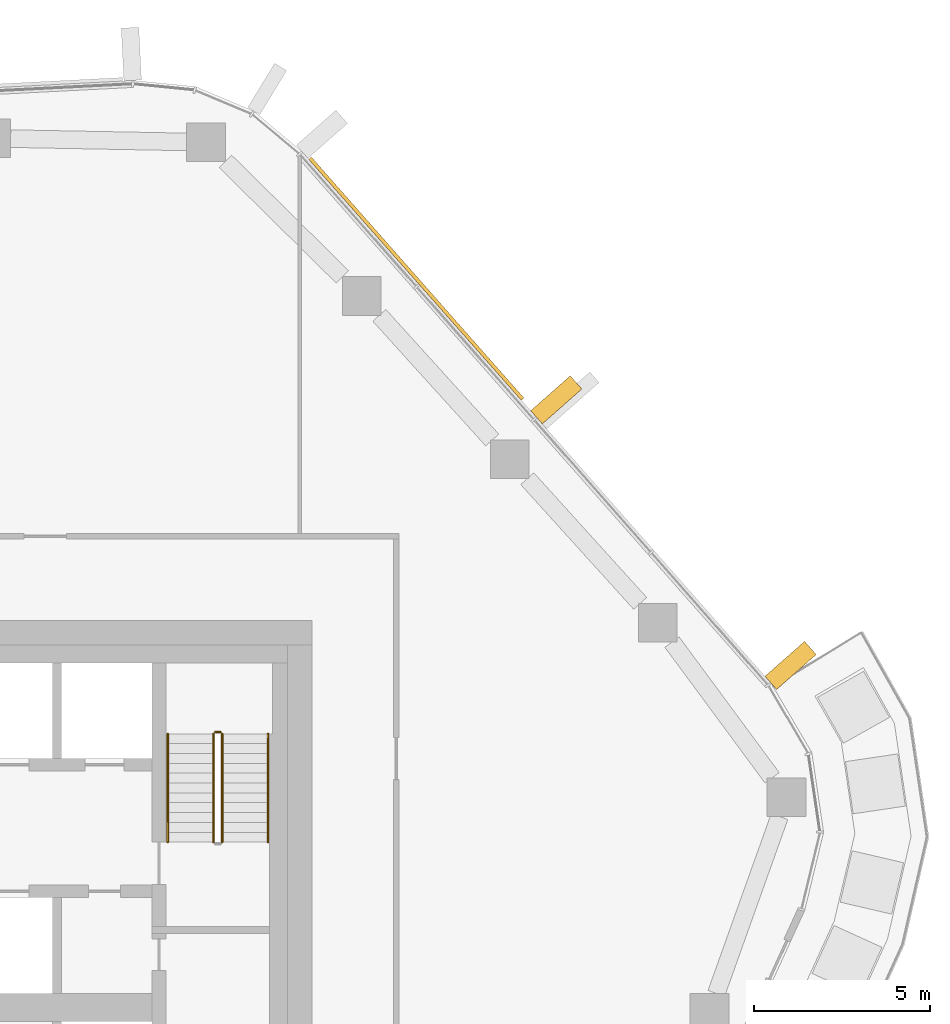
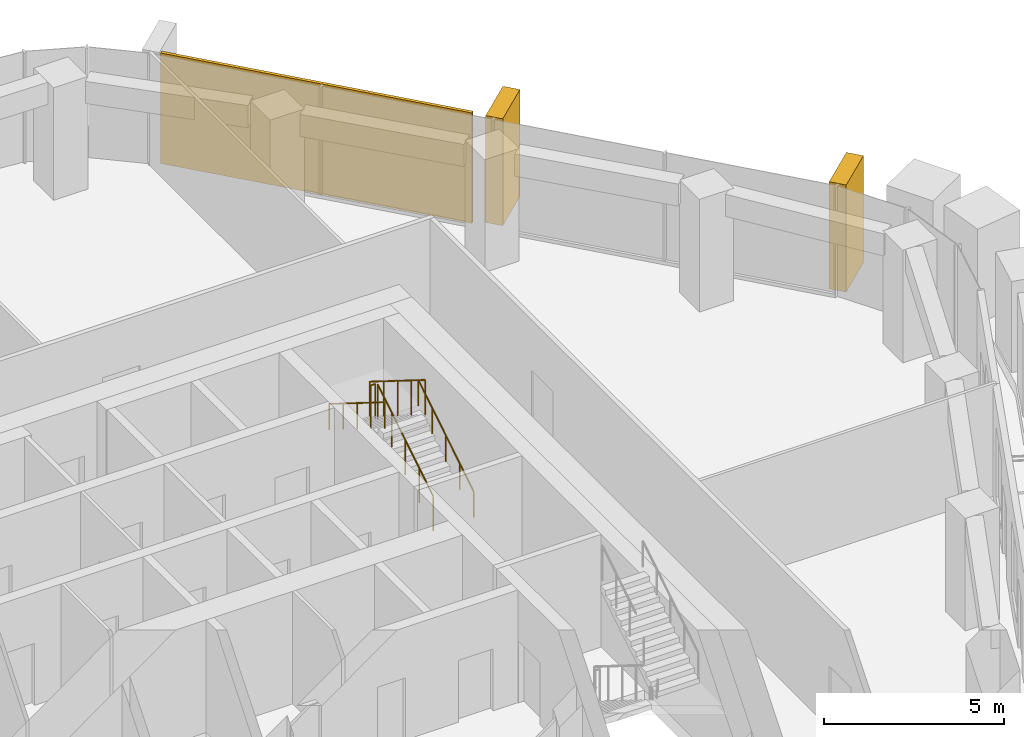
# One storey, part 21 of 22: 5 railings, 3 coverings, 1 element without a shape of its own.
"""IFC4 building model written with IfcOpenShell, lengths in metres."""

from ifc_helpers import new_model, si_unit, direction, frame, origin, origin_2d, place, context, subcontext, project, spatial, rectangle, circle, extrude, material, layer, layer_set, material_profile, profile_set, type_object, element, aggregate, save


model = new_model("IFC4")

# Units and contexts
model_context = context("Model", 3, precision=1e-05, world=origin(), true_north=direction((0.0, 1.0)))
body_context = subcontext(model_context, "Body", "Model", "MODEL_VIEW")
ifc_project = project(units=[si_unit("LENGTHUNIT", "METRE"), si_unit("AREAUNIT", "SQUARE_METRE"), si_unit("VOLUMEUNIT", "CUBIC_METRE"), si_unit("PLANEANGLEUNIT", "RADIAN"), si_unit("MASSUNIT", "GRAM", prefix="KILO")], contexts=[model_context])

# Site, building, storey
site_placement = place(None, origin())
site = spatial("IfcSite", under=ifc_project, at=site_placement, CompositionType="ELEMENT")
building_placement = place(site_placement, origin())
building = spatial("IfcBuilding", under=site, at=building_placement, Name="Dongbaek Canopy Tower", CompositionType="ELEMENT")
storey_placement = place(building_placement, frame((0.0, 0.0, 237.0)))
storey = spatial("IfcBuildingStorey", under=building, at=storey_placement, Name="L49", CompositionType="ELEMENT", Elevation=237.0)

# Curtain wall, coverings
ifc_material_1 = material(Name="Aluminium 6063-T6 pale anodised", Category="aluminium")
ifc_layer_1 = layer(ifc_material_1, 0.199951171875)
ifc_layer_set_1 = layer_set([ifc_layer_1], Name="CW-1 unitised tower curtain wall")
curtain_wall_type = type_object("IfcCurtainWallType", Name="CW-1 unitised tower curtain wall", PredefinedType="NOTDEFINED", material=ifc_layer_set_1)
curtain_wall_placement = place(storey_placement, origin())
curtain_wall = element("IfcCurtainWall", 1, at=curtain_wall_placement, inside=storey, type_object=curtain_wall_type, Name="CW-1 curtain wall F0.1", PredefinedType="NOTDEFINED")
ifc_material_2 = material(Name="Perforated aluminium 6063-T6 pale metal screen", Category="aluminium")
ifc_layer_2 = layer(ifc_material_2, 0.10009765625)
ifc_layer_set_2 = layer_set([ifc_layer_2], Name="Facet screen FS1 100 pale metal")
covering_type_1 = type_object("IfcCoveringType", Name="Facet screen FS1 100 pale metal", PredefinedType="CLADDING", material=ifc_layer_set_2)
covering_1_placement = place(storey_placement, frame((16.968505859375, 20.720703125, 0.0), z_axis=(0.0, 0.0, 1.0), x_axis=(-0.6616312479, 0.749829375126, 0.0)))
covering_1 = element("IfcCovering", 2, at=covering_1_placement, type_object=covering_type_1, Name="Facet screen L49 F0", PredefinedType="CLADDING", context=body_context, shape_type="SweptSolid", body=[
    extrude(rectangle(XDim=9.130126953125, YDim=0.10009765625, at=origin_2d()), origin(), (0.0, 0.0, 1.0), 3.75),
])
ifc_material_3 = material(Name="Aluminium 6063-T6 pale metal fin", Category="aluminium")
ifc_material_profile = material_profile(ifc_material_3, rectangle(XDim=1.5, YDim=0.5, at=origin_2d()), Name="Fin FN1 500 x 1500 pale metal")
ifc_profile_set = profile_set([ifc_material_profile], Name="Aluminium 6063-T6 pale metal fin")
covering_type_2 = type_object("IfcCoveringType", Name="Fin FN1 500 x 1500 pale metal", PredefinedType="CLADDING", material=ifc_profile_set)
covering_2_placement = place(storey_placement, frame((27.6103515625, 9.724609375, 0.1201171875), z_axis=(0.0, 0.0, 1.0), x_axis=(0.749829254199, 0.661631384947, 0.0)))
covering_2 = element("IfcCovering", 3, at=covering_2_placement, type_object=covering_type_2, Name="Fin F0.1.1", PredefinedType="CLADDING", context=body_context, shape_type="SweptSolid", body=[
    extrude(rectangle(XDim=1.5, YDim=0.5, at=origin_2d()), origin(), (0.0, 0.0, 1.0), 3.6298828125),
])
covering_3_placement = place(storey_placement, frame((20.947998046875, 17.275146484375, 0.1201171875), z_axis=(0.0, 0.0, 1.0), x_axis=(0.749829254199, 0.661631384947, 0.0)))
covering_3 = element("IfcCovering", 4, at=covering_3_placement, type_object=covering_type_2, Name="Fin F0.1.3", PredefinedType="CLADDING", context=body_context, shape_type="SweptSolid", body=[
    extrude(rectangle(XDim=1.5, YDim=0.5, at=origin_2d()), origin(), (0.0, 0.0, 1.0), 3.6298828125),
])
aggregate(curtain_wall, [covering_2, covering_3, covering_1])

# Railings
ifc_material_4 = material(Name="Stainless steel tube and balusters", Category="steel")
railing_type_1 = type_object("IfcRailingType", Name="Stair guard 1200", PredefinedType="GUARDRAIL", material=ifc_material_4)
railing_1_placement = place(storey_placement, frame((11.449951171875, 4.699951171875, 0.175048828125)))
element("IfcRailing", 5, at=railing_1_placement, inside=storey, type_object=railing_type_1, Name="L49 ST-A stair guard 1", PredefinedType="GUARDRAIL", context=body_context, shape_type="SweptSolid", body=[
    extrude(circle(Radius=0.02392578125, at=origin_2d()), frame((0.0, 0.0, 1.17578125), z_axis=(0.0, 0.847998304005, 0.529998940003), x_axis=(-1.0, 0.0, 0.0)), (0.0, 0.0, 1.0), 3.632080078125),
    extrude(circle(Radius=0.02099609375, at=origin_2d()), origin(), (0.0, 0.0, 1.0), 1.15185546875),
    extrude(circle(Radius=0.02099609375, at=origin_2d()), frame((0.0, 0.77001953125, 0.481201171875)), (0.0, 0.0, 1.0), 1.15185546875),
    extrude(circle(Radius=0.02099609375, at=origin_2d()), frame((0.0, 1.5400390625, 0.96240234375)), (0.0, 0.0, 1.0), 1.15185546875),
    extrude(circle(Radius=0.02099609375, at=origin_2d()), frame((0.0, 2.31005859375, 1.44384765625)), (0.0, 0.0, 1.0), 1.15185546875),
    extrude(circle(Radius=0.02099609375, at=origin_2d()), frame((0.0, 3.080078125, 1.925048828125)), (0.0, 0.0, 1.0), 1.15185546875),
])
railing_2_placement = place(storey_placement, frame((11.39990234375, 7.830078125, 2.10009765625)))
element("IfcRailing", 6, at=railing_2_placement, inside=storey, type_object=railing_type_1, Name="L49 ST-A stair guard 2", PredefinedType="GUARDRAIL", context=body_context, shape_type="SweptSolid", body=[
    extrude(circle(Radius=0.02392578125, at=origin_2d()), frame((0.0, 0.0, 1.17578125), z_axis=(-1.0, 0.0, 0.0), x_axis=(0.0, -1.0, 0.0)), (0.0, 0.0, 1.0), 0.14990234375),
    extrude(circle(Radius=0.02099609375, at=origin_2d()), origin(), (0.0, 0.0, 1.0), 1.15185546875),
    extrude(circle(Radius=0.02099609375, at=origin_2d()), frame((-0.14990234375, 0.0, 0.0)), (0.0, 0.0, 1.0), 1.15185546875),
])
railing_3_placement = place(storey_placement, frame((11.199951171875, 7.780029296875, 2.27490234375)))
element("IfcRailing", 7, at=railing_3_placement, inside=storey, type_object=railing_type_1, Name="L49 ST-A stair guard 3", PredefinedType="GUARDRAIL", context=body_context, shape_type="SweptSolid", body=[
    extrude(circle(Radius=0.02392578125, at=origin_2d()), frame((0.0, 0.0, 1.17578125), z_axis=(0.0, -0.847998304005, 0.529998940003), x_axis=(1.0, 0.0, 0.0)), (0.0, 0.0, 1.0), 3.632080078125),
    extrude(circle(Radius=0.02099609375, at=origin_2d()), origin(), (0.0, 0.0, 1.0), 1.15185546875),
    extrude(circle(Radius=0.02099609375, at=origin_2d()), frame((0.0, -0.77001953125, 0.481201171875)), (0.0, 0.0, 1.0), 1.15185546875),
    extrude(circle(Radius=0.02099609375, at=origin_2d()), frame((0.0, -1.5400390625, 0.96240234375)), (0.0, 0.0, 1.0), 1.15185546875),
    extrude(circle(Radius=0.02099609375, at=origin_2d()), frame((0.0, -2.31005859375, 1.44384765625)), (0.0, 0.0, 1.0), 1.15185546875),
    extrude(circle(Radius=0.02099609375, at=origin_2d()), frame((0.0, -3.080078125, 1.925048828125)), (0.0, 0.0, 1.0), 1.15185546875),
])
ifc_material_5 = material(Name="Stainless steel tube", Category="steel")
railing_type_2 = type_object("IfcRailingType", Name="Stair handrail 900", PredefinedType="HANDRAIL", material=ifc_material_5)
railing_4_placement = place(storey_placement, frame((12.75, 4.699951171875, 0.175048828125)))
element("IfcRailing", 8, at=railing_4_placement, inside=storey, type_object=railing_type_2, Name="L49 ST-A stair handrail 1", PredefinedType="HANDRAIL", context=body_context, shape_type="SweptSolid", body=[
    extrude(circle(Radius=0.02392578125, at=origin_2d()), frame((0.0, 0.0, 0.8759765625), z_axis=(0.0, 0.847998304005, 0.529998940003), x_axis=(-1.0, 0.0, 0.0)), (0.0, 0.0, 1.0), 3.632080078125),
    extrude(circle(Radius=0.02099609375, at=origin_2d()), origin(), (0.0, 0.0, 1.0), 0.851806640625),
    extrude(circle(Radius=0.02099609375, at=origin_2d()), frame((0.0, 0.77001953125, 0.481201171875)), (0.0, 0.0, 1.0), 0.851806640625),
    extrude(circle(Radius=0.02099609375, at=origin_2d()), frame((0.0, 1.5400390625, 0.96240234375)), (0.0, 0.0, 1.0), 0.851806640625),
    extrude(circle(Radius=0.02099609375, at=origin_2d()), frame((0.0, 2.31005859375, 1.44384765625)), (0.0, 0.0, 1.0), 0.851806640625),
    extrude(circle(Radius=0.02099609375, at=origin_2d()), frame((0.0, 3.080078125, 1.925048828125)), (0.0, 0.0, 1.0), 0.851806640625),
])
railing_5_placement = place(storey_placement, frame((9.89990234375, 7.780029296875, 2.27490234375)))
element("IfcRailing", 9, at=railing_5_placement, inside=storey, type_object=railing_type_2, Name="L49 ST-A stair handrail 2", PredefinedType="HANDRAIL", context=body_context, shape_type="SweptSolid", body=[
    extrude(circle(Radius=0.02392578125, at=origin_2d()), frame((0.0, 0.0, 0.8759765625), z_axis=(0.0, -0.847998304005, 0.529998940003), x_axis=(1.0, 0.0, 0.0)), (0.0, 0.0, 1.0), 3.632080078125),
    extrude(circle(Radius=0.02099609375, at=origin_2d()), origin(), (0.0, 0.0, 1.0), 0.851806640625),
    extrude(circle(Radius=0.02099609375, at=origin_2d()), frame((0.0, -0.77001953125, 0.481201171875)), (0.0, 0.0, 1.0), 0.851806640625),
    extrude(circle(Radius=0.02099609375, at=origin_2d()), frame((0.0, -1.5400390625, 0.96240234375)), (0.0, 0.0, 1.0), 0.851806640625),
    extrude(circle(Radius=0.02099609375, at=origin_2d()), frame((0.0, -2.31005859375, 1.44384765625)), (0.0, 0.0, 1.0), 0.851806640625),
    extrude(circle(Radius=0.02099609375, at=origin_2d()), frame((0.0, -3.080078125, 1.925048828125)), (0.0, 0.0, 1.0), 0.851806640625),
])

save(model, "model.ifc")
